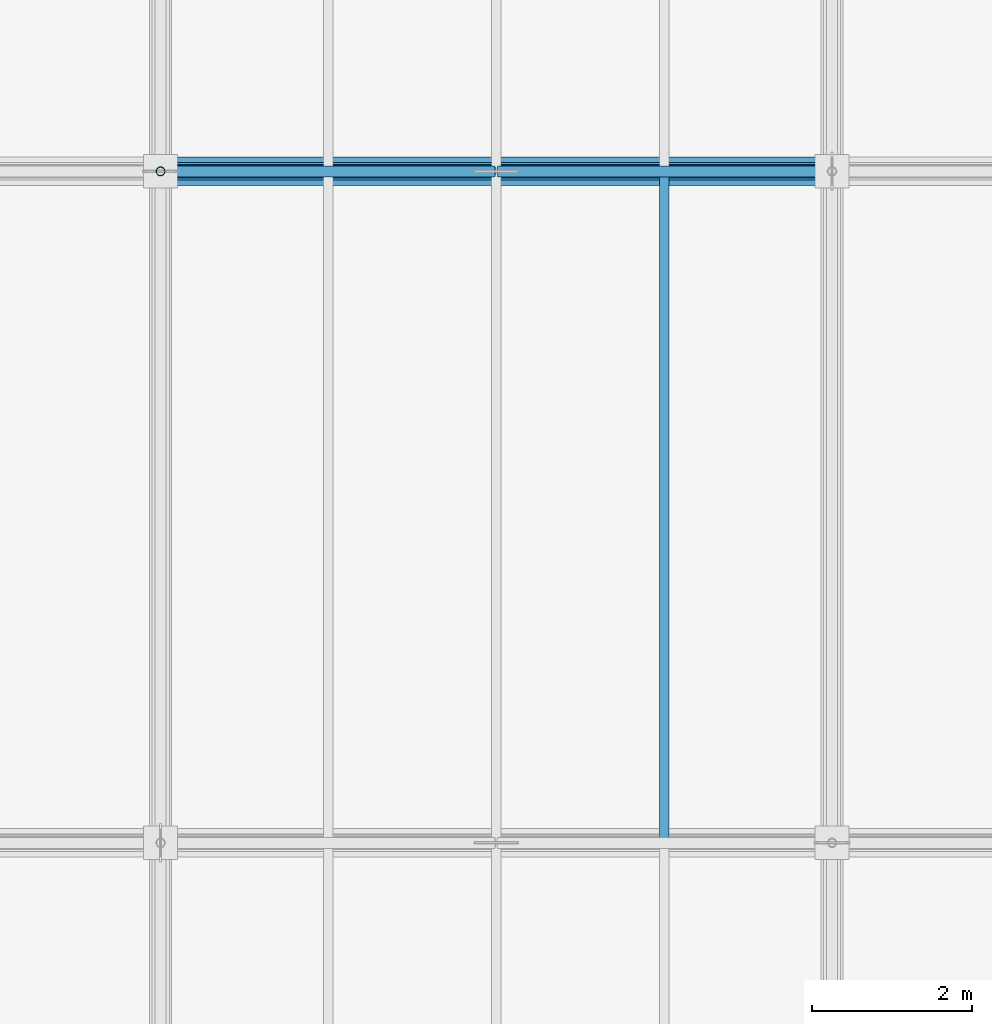
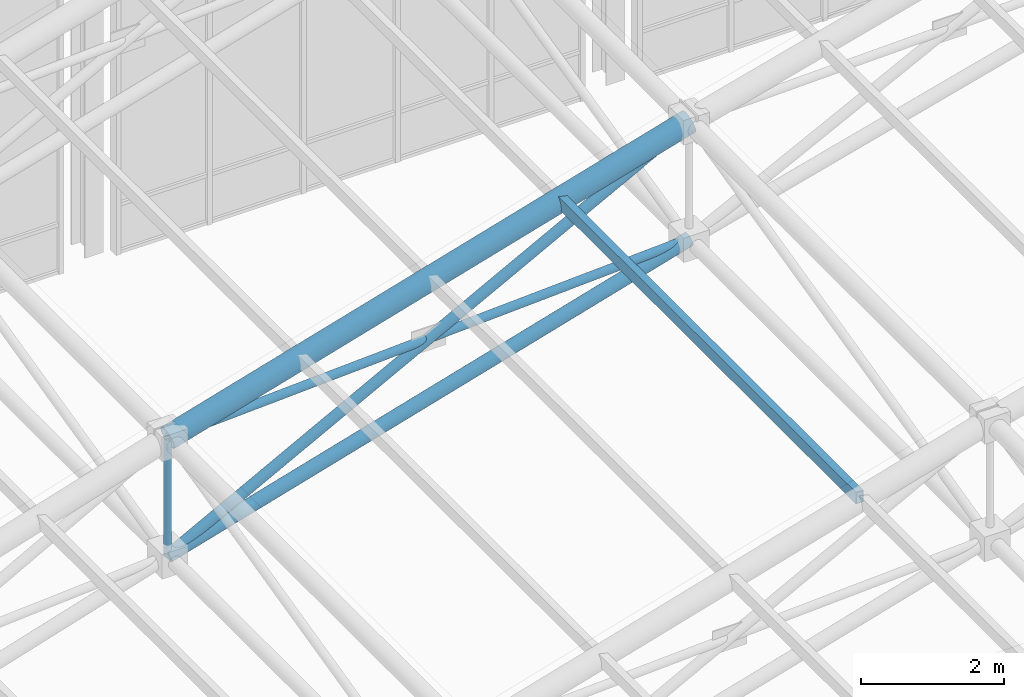
# One storey, part 42 of 144: 7 members.
"""IFC4 building model written with IfcOpenShell, lengths in metres."""

from ifc_helpers import new_model, si_unit, direction, frame, origin, origin_2d, place, context, subcontext, project, spatial, hollow_rectangle, hollow_circle, extrude, material, material_profile, profile_set, type_object, element, save


model = new_model("IFC4")

# Units and contexts
model_context = context("Model", 3, precision=1e-05, world=origin(), true_north=direction((0.0, 1.0)))
body_context = subcontext(model_context, "Body", "Model", "MODEL_VIEW")
ifc_project = project(units=[si_unit("LENGTHUNIT", "METRE"), si_unit("AREAUNIT", "SQUARE_METRE"), si_unit("VOLUMEUNIT", "CUBIC_METRE"), si_unit("PLANEANGLEUNIT", "RADIAN"), si_unit("MASSUNIT", "GRAM", prefix="KILO")], contexts=[model_context])

# Site, building, storey
site_placement = place(None, origin())
site = spatial("IfcSite", under=ifc_project, at=site_placement, CompositionType="ELEMENT")
building_placement = place(site_placement, origin())
building = spatial("IfcBuilding", under=site, at=building_placement, Name="Zayran Congress Hotel", CompositionType="ELEMENT")
storey_placement = place(building_placement, frame((0.0, 0.0, 19.199951171875)))
storey = spatial("IfcBuildingStorey", under=building, at=storey_placement, Name="L04", CompositionType="ELEMENT", Elevation=19.199951171875)

# Members
ifc_material = material(Name="Steel S355", Category="steel")
ifc_material_profile_1 = material_profile(ifc_material, hollow_circle(Radius=0.177734375, WallThickness=0.01611328125, at=origin_2d()), Name="CHS 355.6x16")
ifc_profile_set_1 = profile_set([ifc_material_profile_1], Name="Steel S355")
member_type_1 = type_object("IfcMemberType", Name="TP-SF-TC1", PredefinedType="CHORD", material=ifc_profile_set_1)
member_1_placement = place(storey_placement, frame((33.60009765625, 92.800048828125, 9.902099609375), z_axis=(0.960000625005, 0.0, 0.279997857116), x_axis=(0.0, 1.0, 0.0)))
element("IfcMember", 1, at=member_1_placement, inside=storey, type_object=member_type_1, Name="Space Frame Top Chord X 190", PredefinedType="CHORD", context=body_context, shape_type="SweptSolid", body=[
    extrude(hollow_circle(Radius=0.177734375, WallThickness=0.01611328125, at=origin_2d()), origin(), (0.0, 0.0, 1.0), 8.75),
])
ifc_material_profile_2 = material_profile(ifc_material, hollow_circle(Radius=0.109619140625, WallThickness=0.010009765625, at=origin_2d()), Name="CHS 219.1x10")
ifc_profile_set_2 = profile_set([ifc_material_profile_2], Name="Steel S355")
member_type_2 = type_object("IfcMemberType", Name="TP-SF-BC1", PredefinedType="CHORD", material=ifc_profile_set_2)
member_2_placement = place(storey_placement, frame((33.60009765625, 92.800048828125, 7.900146484375), z_axis=(0.960000625005, 0.0, 0.279997857116), x_axis=(0.0, 1.0, 0.0)))
element("IfcMember", 2, at=member_2_placement, inside=storey, type_object=member_type_2, Name="Space Frame Bottom Chord X 191", PredefinedType="CHORD", context=body_context, shape_type="SweptSolid", body=[
    extrude(hollow_circle(Radius=0.109619140625, WallThickness=0.010009765625, at=origin_2d()), origin(), (0.0, 0.0, 1.0), 8.75),
])
ifc_material_profile_3 = material_profile(ifc_material, hollow_circle(Radius=0.084228515625, WallThickness=0.008056640625, at=origin_2d()), Name="CHS 168.3x8")
ifc_profile_set_3 = profile_set([ifc_material_profile_3], Name="Steel S355")
member_type_3 = type_object("IfcMemberType", Name="TP-SF-DG1", PredefinedType="BRACE", material=ifc_profile_set_3)
member_3_placement = place(storey_placement, frame((33.60009765625, 92.800048828125, 7.900146484375), z_axis=(0.883574812642, 0.0, 0.46829002815), x_axis=(0.0, 1.0, 0.0)))
element("IfcMember", 3, at=member_3_placement, inside=storey, type_object=member_type_3, Name="Space Frame Web Diagonal X 192", PredefinedType="BRACE", context=body_context, shape_type="SweptSolid", body=[
    extrude(hollow_circle(Radius=0.084228515625, WallThickness=0.008056640625, at=origin_2d()), origin(), (0.0, 0.0, 1.0), 9.5068359375),
])
ifc_material_profile_4 = material_profile(ifc_material, hollow_circle(Radius=0.06982421875, WallThickness=0.00634765625, at=origin_2d()), Name="CHS 139.7x6.3")
ifc_profile_set_4 = profile_set([ifc_material_profile_4], Name="Steel S355")
member_type_4 = type_object("IfcMemberType", Name="TP-SF-DG2", PredefinedType="BRACE", material=ifc_profile_set_4)
member_4_placement = place(storey_placement, frame((33.60009765625, 92.800048828125, 9.902099609375), z_axis=(0.998581382954, 0.0, 0.053246799138), x_axis=(0.0, 1.0, 0.0)))
element("IfcMember", 4, at=member_4_placement, inside=storey, type_object=member_type_4, Name="Space Frame Counter Diagonal X Upper 193", PredefinedType="BRACE", context=body_context, shape_type="SweptSolid", body=[
    extrude(hollow_circle(Radius=0.06982421875, WallThickness=0.00634765625, at=origin_2d()), origin(), (0.0, 0.0, 1.0), 4.190673828125),
])
member_5_placement = place(storey_placement, frame((37.81494140625, 92.800048828125, 10.126953125), z_axis=(0.99858154811, 0.0, 0.053243701725), x_axis=(0.0, 1.0, 0.0)))
element("IfcMember", 5, at=member_5_placement, inside=storey, type_object=member_type_4, Name="Space Frame Counter Diagonal X Lower 31", PredefinedType="BRACE", context=body_context, shape_type="SweptSolid", body=[
    extrude(hollow_circle(Radius=0.06982421875, WallThickness=0.00634765625, at=origin_2d()), origin(), (0.0, 0.0, 1.0), 4.19091796875),
])
ifc_material_profile_5 = material_profile(ifc_material, hollow_circle(Radius=0.05712890625, WallThickness=0.00634765625, at=origin_2d()), Name="CHS 114.3x6.3")
ifc_profile_set_5 = profile_set([ifc_material_profile_5], Name="Steel S355")
member_type_5 = type_object("IfcMemberType", Name="TP-SF-DG3", PredefinedType="BRACE", material=ifc_profile_set_5)
member_6_placement = place(storey_placement, frame((33.60009765625, 92.800048828125, 7.900146484375), z_axis=(0.0, 0.0, 1.0), x_axis=(0.0, 1.0, 0.0)))
element("IfcMember", 6, at=member_6_placement, inside=storey, type_object=member_type_5, Name="Space Frame Web Strut 197", PredefinedType="BRACE", context=body_context, shape_type="SweptSolid", body=[
    extrude(hollow_circle(Radius=0.05712890625, WallThickness=0.00634765625, at=origin_2d()), origin(), (0.0, 0.0, 1.0), 2.001953125),
])
ifc_material_profile_6 = material_profile(ifc_material, hollow_rectangle(XDim=0.1201171875, YDim=0.199951171875, WallThickness=0.008056640625, at=origin_2d()), Name="RHS 200x120x8")
ifc_profile_set_6 = profile_set([ifc_material_profile_6], Name="Steel S355")
member_type_6 = type_object("IfcMemberType", Name="TP-PR-01", PredefinedType="PURLIN", material=ifc_profile_set_6)
member_7_placement = place(storey_placement, frame((39.89990234375, 84.39990234375, 11.781494140625), z_axis=(0.0, 1.0, 0.0), x_axis=(-1.0, 0.0, 0.0)))
element("IfcMember", 7, at=member_7_placement, inside=storey, type_object=member_type_6, Name="MEM-PR-V1-0069", PredefinedType="PURLIN", context=body_context, shape_type="SweptSolid", body=[
    extrude(hollow_rectangle(XDim=0.1201171875, YDim=0.199951171875, WallThickness=0.008056640625, at=origin_2d()), origin(), (0.0, 0.0, 1.0), 8.400146484375),
])

save(model, "model.ifc")
